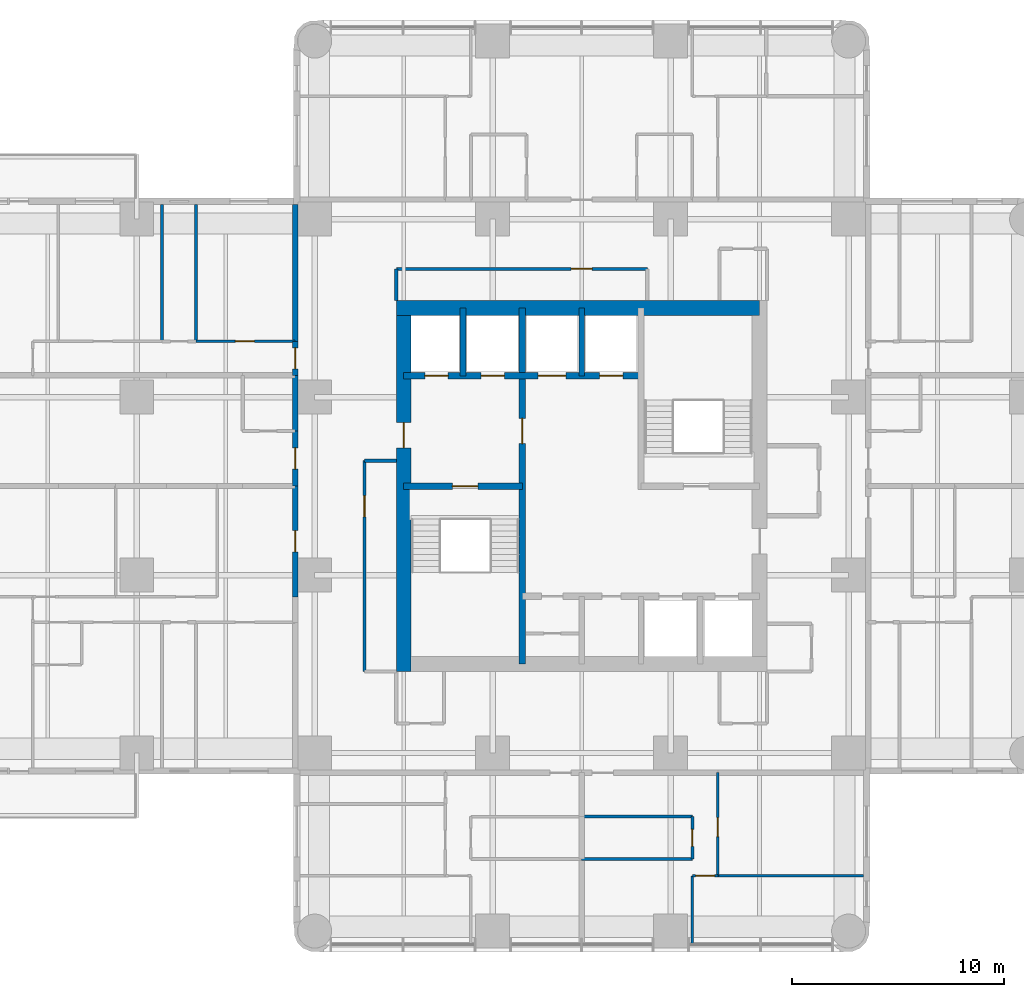
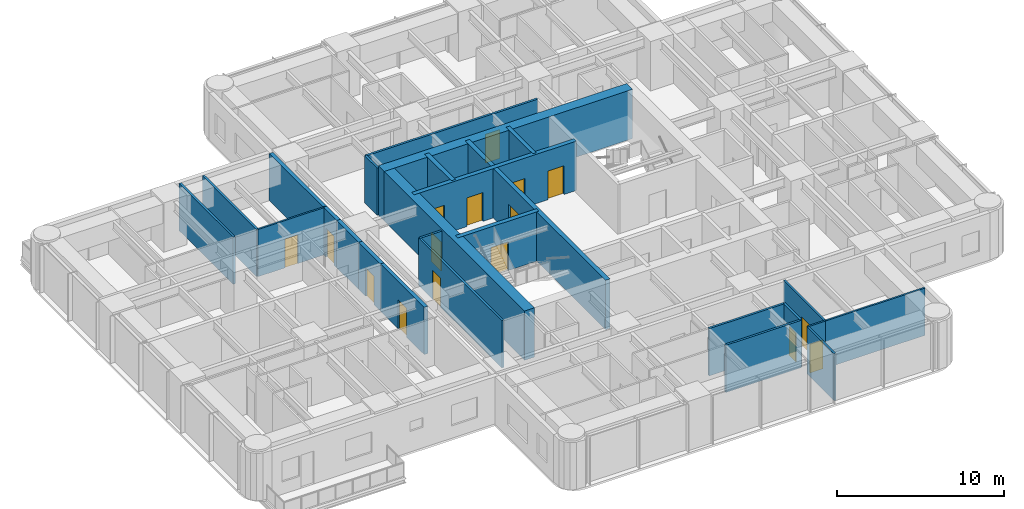
# One storey, part 6 of 11: 26 walls, 16 doors, 16 openings.
"""IFC4 building model written with IfcOpenShell, lengths in metres."""

from ifc_helpers import new_model, si_unit, direction, frame, frame_2d, origin, place, context, subcontext, project, spatial, rectangle, extrude, material, layer, layer_set, type_object, element, fill, save


model = new_model("IFC4")

# Units and contexts
model_context = context("Model", 3, precision=1e-05, world=origin(), true_north=direction((0.0, 1.0)))
body_context = subcontext(model_context, "Body", "Model", "MODEL_VIEW")
ifc_project = project(units=[si_unit("LENGTHUNIT", "METRE"), si_unit("AREAUNIT", "SQUARE_METRE"), si_unit("VOLUMEUNIT", "CUBIC_METRE"), si_unit("PLANEANGLEUNIT", "RADIAN"), si_unit("MASSUNIT", "GRAM", prefix="KILO")], contexts=[model_context])

# Site, building, storey
site_placement = place(None, origin())
site = spatial("IfcSite", under=ifc_project, at=site_placement, CompositionType="ELEMENT")
building_placement = place(site_placement, origin())
building = spatial("IfcBuilding", under=site, at=building_placement, Name="Torre Alcanfor", CompositionType="ELEMENT")
storey_placement = place(building_placement, frame((0.0, 0.0, 240.89990234375)))
storey = spatial("IfcBuildingStorey", under=building, at=storey_placement, Name="L63", CompositionType="ELEMENT", Elevation=240.89990234375)

# Wall, opening, door
ifc_material_1 = material(Name="Concrete block masonry, hollow blocks NMX-C-404 9 MPa", Category="masonry")
ifc_layer_1 = layer(ifc_material_1, 0.25)
ifc_layer_set_1 = layer_set([ifc_layer_1], Name="Apartment entrance wall 250 EI 60")
wall_type_1 = type_object("IfcWallType", Name="Apartment entrance wall 250 EI 60", PredefinedType="PARTITIONING", material=ifc_layer_set_1)
wall_1_placement = place(storey_placement, frame((15.875, 24.1708984375, 0.0), z_axis=(0.0, 0.0, 1.0), x_axis=(0.0, 1.0, 0.0)))
wall_1 = element("IfcWall", 1, at=wall_1_placement, inside=storey, type_object=wall_type_1, Name="Partition L63-CORR / L63-W1-ZAG", PredefinedType="PARTITIONING", context=body_context, shape_type="SweptSolid", body=[
    extrude(rectangle(XDim=5.22900390625, YDim=0.25, at=frame_2d((2.614501953125, 0.0))), origin(), (0.0, 0.0, 1.0), 3.4501953125),
])
opening_1_placement = place(wall_1_placement, frame((2.12890625, 0.0, 0.0)))
opening_1 = element("IfcOpeningElement", 2, at=opening_1_placement, cuts=wall_1, Name="Opening D-A1", PredefinedType="OPENING", context=body_context, shape_type="SweptSolid", body=[
    extrude(rectangle(XDim=1.0, YDim=2.10009765625, at=frame_2d((0.5, 1.050048828125))), frame((0.0, 0.135009765625, 0.0), z_axis=(0.0, -1.0, 0.0), x_axis=(1.0, 0.0, 0.0)), (0.0, 0.0, 1.0), 0.27001953125),
])
ifc_material_2 = material(Name="Galvanised steel sheet ASTM A653", Category="steel")
door_type_1 = type_object("IfcDoorType", Name="Apartment entrance door FD60 1000x2100", OperationType="SINGLE_SWING_LEFT", PredefinedType="DOOR", material=ifc_material_2)
door_1_placement = place(opening_1_placement, origin())
door_1 = element("IfcDoor", 3, at=door_1_placement, inside=storey, type_object=door_type_1, Name="Apartment entrance L63-W1", OperationType="SINGLE_SWING_RIGHT", OverallHeight=2.10009765625, OverallWidth=1.0, PredefinedType="DOOR", context=body_context, shape_type="SweptSolid", body=[
    extrude(rectangle(XDim=1.0, YDim=2.10009765625, at=frame_2d((0.5, 1.050048828125))), frame((0.0, 0.02490234375, 0.0), z_axis=(0.0, -1.0, 0.0), x_axis=(1.0, 0.0, 0.0)), (0.0, 0.0, 1.0), 0.050048828125),
])
fill(opening_1, door_1)

wall_2_placement = place(storey_placement, frame((15.875, 29.39990234375, 0.0), z_axis=(0.0, 0.0, 1.0), x_axis=(0.0, 1.0, 0.0)))
wall_2 = element("IfcWall", 4, at=wall_2_placement, inside=storey, type_object=wall_type_1, Name="Partition L63-CORR / L63-W2A-FOYER", PredefinedType="PARTITIONING", context=body_context, shape_type="SweptSolid", body=[
    extrude(rectangle(XDim=2.60009765625, YDim=0.25, at=frame_2d((1.300048828125, 0.0))), origin(), (0.0, 0.0, 1.0), 3.4501953125),
])
opening_2_placement = place(wall_2_placement, frame((0.800048828125, 0.0, 0.0)))
opening_2 = element("IfcOpeningElement", 5, at=opening_2_placement, cuts=wall_2, Name="Opening D-A1", PredefinedType="OPENING", context=body_context, shape_type="SweptSolid", body=[
    extrude(rectangle(XDim=1.0, YDim=2.10009765625, at=frame_2d((0.5, 1.050048828125))), frame((0.0, 0.135009765625, 0.0), z_axis=(0.0, -1.0, 0.0), x_axis=(1.0, 0.0, 0.0)), (0.0, 0.0, 1.0), 0.27001953125),
])
door_2_placement = place(opening_2_placement, origin())
door_2 = element("IfcDoor", 6, at=door_2_placement, inside=storey, type_object=door_type_1, Name="Apartment entrance L63-W2A", OperationType="SINGLE_SWING_LEFT", OverallHeight=2.10009765625, OverallWidth=1.0, PredefinedType="DOOR", context=body_context, shape_type="SweptSolid", body=[
    extrude(rectangle(XDim=1.0, YDim=2.10009765625, at=frame_2d((0.5, 1.050048828125))), frame((0.0, 0.02490234375, 0.0), z_axis=(0.0, -1.0, 0.0), x_axis=(1.0, 0.0, 0.0)), (0.0, 0.0, 1.0), 0.050048828125),
])
fill(opening_2, door_2)

# Wall
wall_3_placement = place(storey_placement, frame((15.875, 32.0, 0.0), z_axis=(0.0, 0.0, 1.0), x_axis=(0.0, 1.0, 0.0)))
element("IfcWall", 7, at=wall_3_placement, inside=storey, type_object=wall_type_1, Name="Partition L63-CORR / L63-W2A-BATH", PredefinedType="PARTITIONING", context=body_context, shape_type="SweptSolid", body=[
    extrude(rectangle(XDim=2.62890625, YDim=0.25, at=frame_2d((1.314453125, 0.0))), origin(), (0.0, 0.0, 1.0), 3.4501953125),
])

# Wall, opening, door
wall_4_placement = place(storey_placement, frame((15.875, 34.62890625, 0.0), z_axis=(0.0, 0.0, 1.0), x_axis=(0.0, 1.0, 0.0)))
wall_4 = element("IfcWall", 8, at=wall_4_placement, inside=storey, type_object=wall_type_1, Name="Partition L63-CORR / L63-W2B-HALL", PredefinedType="PARTITIONING", context=body_context, shape_type="SweptSolid", body=[
    extrude(rectangle(XDim=1.60009765625, YDim=0.25, at=frame_2d((0.800048828125, 0.0))), origin(), (0.0, 0.0, 1.0), 3.4501953125),
])
opening_3_placement = place(wall_4_placement, frame((0.300048828125, 0.0, 0.0)))
opening_3 = element("IfcOpeningElement", 9, at=opening_3_placement, cuts=wall_4, Name="Opening D-A1", PredefinedType="OPENING", context=body_context, shape_type="SweptSolid", body=[
    extrude(rectangle(XDim=1.0, YDim=2.10009765625, at=frame_2d((0.5, 1.050048828125))), frame((0.0, 0.135009765625, 0.0), z_axis=(0.0, -1.0, 0.0), x_axis=(1.0, 0.0, 0.0)), (0.0, 0.0, 1.0), 0.27001953125),
])
door_3_placement = place(opening_3_placement, origin())
door_3 = element("IfcDoor", 10, at=door_3_placement, inside=storey, type_object=door_type_1, Name="Apartment entrance L63-W2B", OperationType="SINGLE_SWING_LEFT", OverallHeight=2.10009765625, OverallWidth=1.0, PredefinedType="DOOR", context=body_context, shape_type="SweptSolid", body=[
    extrude(rectangle(XDim=1.0, YDim=2.10009765625, at=frame_2d((0.5, 1.050048828125))), frame((0.0, 0.02490234375, 0.0), z_axis=(0.0, -1.0, 0.0), x_axis=(1.0, 0.0, 0.0)), (0.0, 0.0, 1.0), 0.050048828125),
])
fill(opening_3, door_3)

# Wall
wall_5_placement = place(storey_placement, frame((15.875, 36.22900390625, 0.0), z_axis=(0.0, 0.0, 1.0), x_axis=(0.0, 1.0, 0.0)))
element("IfcWall", 11, at=wall_5_placement, inside=storey, type_object=wall_type_1, Name="Partition L63-CORR / L63-W2B-BED2", PredefinedType="PARTITIONING", context=body_context, shape_type="SweptSolid", body=[
    extrude(rectangle(XDim=6.470947265625, YDim=0.25, at=frame_2d((3.2353515625, 0.0))), origin(), (0.0, 0.0, 1.0), 3.4501953125),
])

# Wall, opening, door
ifc_material_3 = material(Name="Gypsum board on steel studs", Category="steel")
ifc_layer_2 = layer(ifc_material_3, 0.1201171875)
ifc_layer_set_2 = layer_set([ifc_layer_2], Name="Apartment partition 120")
wall_type_2 = type_object("IfcWallType", Name="Apartment partition 120", PredefinedType="PARTITIONING", material=ifc_layer_set_2)
wall_6_placement = place(storey_placement, frame((35.8291015625, 15.875, 0.0), z_axis=(0.0, 0.0, 1.0), x_axis=(0.0, -1.0, 0.0)))
wall_6 = element("IfcWall", 12, at=wall_6_placement, inside=storey, type_object=wall_type_2, Name="Partition L63-S1-LIVING / L63-S1-BED2", PredefinedType="PARTITIONING", context=body_context, shape_type="SweptSolid", body=[
    extrude(rectangle(XDim=4.875, YDim=0.1201171875, at=frame_2d((2.4375, 0.0))), origin(), (0.0, 0.0, 1.0), 3.4501953125),
])
opening_4_placement = place(wall_6_placement, frame((2.125, 0.0, 0.0)))
opening_4 = element("IfcOpeningElement", 13, at=opening_4_placement, cuts=wall_6, Name="Opening D-R1", PredefinedType="OPENING", context=body_context, shape_type="SweptSolid", body=[
    extrude(rectangle(XDim=0.89990234375, YDim=2.10009765625, at=frame_2d((0.449951171875, 1.050048828125))), frame((0.0, 0.070068359375, 0.0), z_axis=(0.0, -1.0, 0.0), x_axis=(1.0, 0.0, 0.0)), (0.0, 0.0, 1.0), 0.14013671875),
])
ifc_material_4 = material(Name="Timber", Category="wood")
door_type_2 = type_object("IfcDoorType", Name="Internal door 900x2100", OperationType="SINGLE_SWING_LEFT", PredefinedType="DOOR", material=ifc_material_4)
door_4_placement = place(opening_4_placement, origin())
door_4 = element("IfcDoor", 14, at=door_4_placement, inside=storey, type_object=door_type_2, Name="Door L63-S1 bed2", OperationType="SINGLE_SWING_RIGHT", OverallHeight=2.10009765625, OverallWidth=0.89990234375, PredefinedType="DOOR", context=body_context, shape_type="SweptSolid", body=[
    extrude(rectangle(XDim=0.89990234375, YDim=2.10009765625, at=frame_2d((0.449951171875, 1.050048828125))), frame((0.0, 0.02490234375, 0.0), z_axis=(0.0, -1.0, 0.0), x_axis=(1.0, 0.0, 0.0)), (0.0, 0.0, 1.0), 0.050048828125),
])
fill(opening_4, door_4)

wall_7_placement = place(storey_placement, frame((35.8291015625, 11.0, 0.0), z_axis=(0.0, 0.0, 1.0), x_axis=(-1.0, 0.0, 0.0)))
wall_7 = element("IfcWall", 15, at=wall_7_placement, inside=storey, type_object=wall_type_2, Name="Partition L63-S1-LIVING / L63-S1-MASTER", PredefinedType="PARTITIONING", context=body_context, shape_type="SweptSolid", body=[
    extrude(rectangle(XDim=1.2001953125, YDim=0.1201171875, at=frame_2d((0.60009765625, 0.0))), origin(), (0.0, 0.0, 1.0), 3.4501953125),
])
opening_5_placement = place(wall_7_placement, frame((0.14892578125, 0.0, 0.0)))
opening_5 = element("IfcOpeningElement", 16, at=opening_5_placement, cuts=wall_7, Name="Opening D-R1", PredefinedType="OPENING", context=body_context, shape_type="SweptSolid", body=[
    extrude(rectangle(XDim=0.89990234375, YDim=2.10009765625, at=frame_2d((0.449951171875, 1.050048828125))), frame((0.0, 0.070068359375, 0.0), z_axis=(0.0, -1.0, 0.0), x_axis=(1.0, 0.0, 0.0)), (0.0, 0.0, 1.0), 0.14013671875),
])
door_5_placement = place(opening_5_placement, origin())
door_5 = element("IfcDoor", 17, at=door_5_placement, inside=storey, type_object=door_type_2, Name="Door L63-S1 master", OperationType="SINGLE_SWING_RIGHT", OverallHeight=2.10009765625, OverallWidth=0.89990234375, PredefinedType="DOOR", context=body_context, shape_type="SweptSolid", body=[
    extrude(rectangle(XDim=0.89990234375, YDim=2.10009765625, at=frame_2d((0.449951171875, 1.050048828125))), frame((0.0, 0.02490234375, 0.0), z_axis=(0.0, -1.0, 0.0), x_axis=(1.0, 0.0, 0.0)), (0.0, 0.0, 1.0), 0.050048828125),
])
fill(opening_5, door_5)

# Walls
wall_8_placement = place(storey_placement, frame((34.62890625, 11.0, 0.0), z_axis=(0.0, 0.0, 1.0), x_axis=(0.0, -1.0, 0.0)))
element("IfcWall", 18, at=wall_8_placement, inside=storey, type_object=wall_type_2, Name="Partition L63-S1-LIVING / L63-S1-MASTER", PredefinedType="PARTITIONING", context=body_context, shape_type="SweptSolid", body=[
    extrude(rectangle(XDim=3.25, YDim=0.1201171875, at=frame_2d((1.625, 0.0))), origin(), (0.0, 0.0, 1.0), 3.4501953125),
])
wall_9_placement = place(storey_placement, frame((35.8291015625, 11.0, 0.0), z_axis=(0.0, 0.0, 1.0), x_axis=(1.0, 0.0, 0.0)))
element("IfcWall", 19, at=wall_9_placement, inside=storey, type_object=wall_type_2, Name="Partition L63-S1-BED2 / L63-S1-MASTER", PredefinedType="PARTITIONING", context=body_context, shape_type="SweptSolid", body=[
    extrude(rectangle(XDim=6.870849609375, YDim=0.1201171875, at=frame_2d((3.435546875, 0.0))), origin(), (0.0, 0.0, 1.0), 3.4501953125),
])

# Wall, opening, door
wall_10_placement = place(storey_placement, frame((11.199951171875, 36.22900390625, 0.0), z_axis=(0.0, 0.0, 1.0), x_axis=(1.0, 0.0, 0.0)))
wall_10 = element("IfcWall", 20, at=wall_10_placement, inside=storey, type_object=wall_type_2, Name="Partition L63-W2B-HALL / L63-W2B-BED2", PredefinedType="PARTITIONING", context=body_context, shape_type="SweptSolid", body=[
    extrude(rectangle(XDim=4.675048828125, YDim=0.1201171875, at=frame_2d((2.33740234375, 0.0))), origin(), (0.0, 0.0, 1.0), 3.4501953125),
])
opening_6_placement = place(wall_10_placement, frame((1.85009765625, 0.0, 0.0)))
opening_6 = element("IfcOpeningElement", 21, at=opening_6_placement, cuts=wall_10, Name="Opening D-R1", PredefinedType="OPENING", context=body_context, shape_type="SweptSolid", body=[
    extrude(rectangle(XDim=0.89990234375, YDim=2.10009765625, at=frame_2d((0.449951171875, 1.050048828125))), frame((0.0, 0.070068359375, 0.0), z_axis=(0.0, -1.0, 0.0), x_axis=(1.0, 0.0, 0.0)), (0.0, 0.0, 1.0), 0.14013671875),
])
door_6_placement = place(opening_6_placement, origin())
door_6 = element("IfcDoor", 22, at=door_6_placement, inside=storey, type_object=door_type_2, Name="Door L63-W2B bed2", OperationType="SINGLE_SWING_LEFT", OverallHeight=2.10009765625, OverallWidth=0.89990234375, PredefinedType="DOOR", context=body_context, shape_type="SweptSolid", body=[
    extrude(rectangle(XDim=0.89990234375, YDim=2.10009765625, at=frame_2d((0.449951171875, 1.050048828125))), frame((0.0, 0.02490234375, 0.0), z_axis=(0.0, -1.0, 0.0), x_axis=(1.0, 0.0, 0.0)), (0.0, 0.0, 1.0), 0.050048828125),
])
fill(opening_6, door_6)

ifc_material_5 = material(Name="Concrete f'c 70 MPa", Category="concrete")
ifc_layer_3 = layer(ifc_material_5, 0.300048828125)
ifc_layer_set_3 = layer_set([ifc_layer_3], Name="Core inner wall 300 f'c70")
wall_type_3 = type_object("IfcWallType", Name="Core inner wall 300 f'c70", PredefinedType="SHEAR", material=ifc_layer_set_3)
wall_11_placement = place(storey_placement, frame((26.60009765625, 21.0, 0.0), z_axis=(0.0, 0.0, 1.0), x_axis=(0.0, 1.0, 0.0)))
wall_11 = element("IfcWall", 23, at=wall_11_placement, inside=storey, type_object=wall_type_3, Name="Core wall X266 L63", PredefinedType="SHEAR", context=body_context, shape_type="SweptSolid", body=[
    extrude(rectangle(XDim=16.800048828125, YDim=0.300048828125, at=frame_2d((8.39990234375, 0.0))), origin(), (0.0, 0.0, 1.0), 3.60009765625),
])
opening_7_placement = place(wall_11_placement, frame((10.39990234375, 0.0, 0.0)))
opening_7 = element("IfcOpeningElement", 24, at=opening_7_placement, cuts=wall_11, Name="Opening D-L1", PredefinedType="OPENING", context=body_context, shape_type="SweptSolid", body=[
    extrude(rectangle(XDim=1.199951171875, YDim=2.10009765625, at=frame_2d((0.60009765625, 1.050048828125))), frame((0.0, 0.159912109375, 0.0), z_axis=(0.0, -1.0, 0.0), x_axis=(1.0, 0.0, 0.0)), (0.0, 0.0, 1.0), 0.320068359375),
])
ifc_material_6 = material(Name="Galvanised steel sheet ASTM A653", Category="steel")
door_type_3 = type_object("IfcDoorType", Name="Lobby door FD120 1200x2100", OperationType="SINGLE_SWING_LEFT", PredefinedType="DOOR", material=ifc_material_6)
door_7_placement = place(opening_7_placement, origin())
door_7 = element("IfcDoor", 25, at=door_7_placement, inside=storey, type_object=door_type_3, Name="Lift lobby door L63", OperationType="SINGLE_SWING_LEFT", OverallHeight=2.10009765625, OverallWidth=1.199951171875, PredefinedType="DOOR", context=body_context, shape_type="SweptSolid", body=[
    extrude(rectangle(XDim=1.199951171875, YDim=2.10009765625, at=frame_2d((0.60009765625, 1.050048828125))), frame((0.0, 0.02490234375, 0.0), z_axis=(0.0, -1.0, 0.0), x_axis=(1.0, 0.0, 0.0)), (0.0, 0.0, 1.0), 0.050048828125),
])
fill(opening_7, door_7)

wall_12_placement = place(storey_placement, frame((21.0, 29.39990234375, 0.0), z_axis=(0.0, 0.0, 1.0), x_axis=(1.0, 0.0, 0.0)))
wall_12 = element("IfcWall", 26, at=wall_12_placement, inside=storey, type_object=wall_type_3, Name="Core wall Y294W L63", PredefinedType="SHEAR", context=body_context, shape_type="SweptSolid", body=[
    extrude(rectangle(XDim=5.60009765625, YDim=0.300048828125, at=frame_2d((2.800048828125, 0.0))), origin(), (0.0, 0.0, 1.0), 3.60009765625),
])
opening_8_placement = place(wall_12_placement, frame((2.300048828125, 0.0, 0.0)))
opening_8 = element("IfcOpeningElement", 27, at=opening_8_placement, cuts=wall_12, Name="Opening D-S2", PredefinedType="OPENING", context=body_context, shape_type="SweptSolid", body=[
    extrude(rectangle(XDim=1.199951171875, YDim=2.10009765625, at=frame_2d((0.60009765625, 1.050048828125))), frame((0.0, 0.159912109375, 0.0), z_axis=(0.0, -1.0, 0.0), x_axis=(1.0, 0.0, 0.0)), (0.0, 0.0, 1.0), 0.320068359375),
])
ifc_material_7 = material(Name="Galvanised steel sheet ASTM A653", Category="steel")
door_type_4 = type_object("IfcDoorType", Name="Stair enclosure door FD120 1200x2100", OperationType="SINGLE_SWING_LEFT", PredefinedType="DOOR", material=ifc_material_7)
door_8_placement = place(opening_8_placement, frame((1.199951171875, 0.0, 0.0), z_axis=(0.0, 0.0, 1.0), x_axis=(-1.0, 0.0, 0.0)))
door_8 = element("IfcDoor", 28, at=door_8_placement, inside=storey, type_object=door_type_4, Name="Stair S1 door L63", OperationType="SINGLE_SWING_LEFT", OverallHeight=2.10009765625, OverallWidth=1.199951171875, PredefinedType="DOOR", context=body_context, shape_type="SweptSolid", body=[
    extrude(rectangle(XDim=1.199951171875, YDim=2.10009765625, at=frame_2d((0.599853515625, 1.050048828125))), frame((0.0, 0.025146484375, 0.0), z_axis=(0.0, -1.0, 0.0), x_axis=(1.0, 0.0, 0.0)), (0.0, 0.0, 1.0), 0.050048828125),
])
fill(opening_8, door_8)

# Wall, openings, doors
wall_13_placement = place(storey_placement, frame((21.0, 34.60009765625, 0.0), z_axis=(0.0, 0.0, 1.0), x_axis=(1.0, 0.0, 0.0)))
wall_13 = element("IfcWall", 29, at=wall_13_placement, inside=storey, type_object=wall_type_3, Name="Core wall Y346 L63", PredefinedType="SHEAR", context=body_context, shape_type="SweptSolid", body=[
    extrude(rectangle(XDim=11.199951171875, YDim=0.300048828125, at=frame_2d((5.60009765625, 0.0))), origin(), (0.0, 0.0, 1.0), 3.60009765625),
])
opening_9_placement = place(wall_13_placement, frame((9.25, 0.0, 0.0)))
opening_9 = element("IfcOpeningElement", 30, at=opening_9_placement, cuts=wall_13, Name="Opening LD1", PredefinedType="OPENING", context=body_context, shape_type="SweptSolid", body=[
    extrude(rectangle(XDim=1.10009765625, YDim=2.10009765625, at=frame_2d((0.550048828125, 1.050048828125))), frame((0.0, 0.159912109375, 0.0), z_axis=(0.0, -1.0, 0.0), x_axis=(1.0, 0.0, 0.0)), (0.0, 0.0, 1.0), 0.320068359375),
])
opening_10_placement = place(wall_13_placement, frame((1.0, 0.0, 0.0)))
opening_10 = element("IfcOpeningElement", 31, at=opening_10_placement, cuts=wall_13, Name="Opening LD2", PredefinedType="OPENING", context=body_context, shape_type="SweptSolid", body=[
    extrude(rectangle(XDim=1.10009765625, YDim=2.10009765625, at=frame_2d((0.550048828125, 1.050048828125))), frame((0.0, 0.159912109375, 0.0), z_axis=(0.0, -1.0, 0.0), x_axis=(1.0, 0.0, 0.0)), (0.0, 0.0, 1.0), 0.320068359375),
])
opening_11_placement = place(wall_13_placement, frame((3.64990234375, 0.0, 0.0)))
opening_11 = element("IfcOpeningElement", 32, at=opening_11_placement, cuts=wall_13, Name="Opening LD2", PredefinedType="OPENING", context=body_context, shape_type="SweptSolid", body=[
    extrude(rectangle(XDim=1.10009765625, YDim=2.10009765625, at=frame_2d((0.550048828125, 1.050048828125))), frame((0.0, 0.159912109375, 0.0), z_axis=(0.0, -1.0, 0.0), x_axis=(1.0, 0.0, 0.0)), (0.0, 0.0, 1.0), 0.320068359375),
])
opening_12_placement = place(wall_13_placement, frame((6.35009765625, 0.0, 0.0)))
opening_12 = element("IfcOpeningElement", 33, at=opening_12_placement, cuts=wall_13, Name="Opening LD3", PredefinedType="OPENING", context=body_context, shape_type="SweptSolid", body=[
    extrude(rectangle(XDim=1.300048828125, YDim=2.10009765625, at=frame_2d((0.64990234375, 1.050048828125))), frame((0.0, 0.159912109375, 0.0), z_axis=(0.0, -1.0, 0.0), x_axis=(1.0, 0.0, 0.0)), (0.0, 0.0, 1.0), 0.320068359375),
])
ifc_material_8 = material(Name="Galvanised steel sheet ASTM A653", Category="steel")
door_type_5 = type_object("IfcDoorType", Name="Firefighting lift landing door 1100x2100", OperationType="DOUBLE_DOOR_SLIDING", PredefinedType="DOOR", material=ifc_material_8)
door_9_placement = place(opening_10_placement, origin())
door_9 = element("IfcDoor", 34, at=door_9_placement, inside=storey, type_object=door_type_5, Name="Lift landing door FL1 L63", OperationType="DOUBLE_DOOR_SLIDING", OverallHeight=2.10009765625, OverallWidth=1.10009765625, PredefinedType="DOOR", context=body_context, shape_type="SweptSolid", body=[
    extrude(rectangle(XDim=1.10009765625, YDim=2.10009765625, at=frame_2d((0.550048828125, 1.050048828125))), frame((0.0, 0.02490234375, 0.0), z_axis=(0.0, -1.0, 0.0), x_axis=(1.0, 0.0, 0.0)), (0.0, 0.0, 1.0), 0.050048828125),
])
fill(opening_10, door_9)
door_10_placement = place(opening_11_placement, origin())
door_10 = element("IfcDoor", 35, at=door_10_placement, inside=storey, type_object=door_type_5, Name="Lift landing door FL2 L63", OperationType="DOUBLE_DOOR_SLIDING", OverallHeight=2.10009765625, OverallWidth=1.10009765625, PredefinedType="DOOR", context=body_context, shape_type="SweptSolid", body=[
    extrude(rectangle(XDim=1.10009765625, YDim=2.10009765625, at=frame_2d((0.550048828125, 1.050048828125))), frame((0.0, 0.02490234375, 0.0), z_axis=(0.0, -1.0, 0.0), x_axis=(1.0, 0.0, 0.0)), (0.0, 0.0, 1.0), 0.050048828125),
])
fill(opening_11, door_10)
ifc_material_9 = material(Name="Galvanised steel sheet ASTM A653", Category="steel")
door_type_6 = type_object("IfcDoorType", Name="Lift landing door 1100x2100", OperationType="DOUBLE_DOOR_SLIDING", PredefinedType="DOOR", material=ifc_material_9)
door_11_placement = place(opening_9_placement, origin())
door_11 = element("IfcDoor", 36, at=door_11_placement, inside=storey, type_object=door_type_6, Name="Lift landing door PA5 L63", OperationType="DOUBLE_DOOR_SLIDING", OverallHeight=2.10009765625, OverallWidth=1.10009765625, PredefinedType="DOOR", context=body_context, shape_type="SweptSolid", body=[
    extrude(rectangle(XDim=1.10009765625, YDim=2.10009765625, at=frame_2d((0.550048828125, 1.050048828125))), frame((0.0, 0.02490234375, 0.0), z_axis=(0.0, -1.0, 0.0), x_axis=(1.0, 0.0, 0.0)), (0.0, 0.0, 1.0), 0.050048828125),
])
fill(opening_9, door_11)
ifc_material_10 = material(Name="Galvanised steel sheet ASTM A653", Category="steel")
door_type_7 = type_object("IfcDoorType", Name="Service lift landing door 1300x2100", OperationType="DOUBLE_DOOR_SLIDING", PredefinedType="DOOR", material=ifc_material_10)
door_12_placement = place(opening_12_placement, origin())
door_12 = element("IfcDoor", 37, at=door_12_placement, inside=storey, type_object=door_type_7, Name="Lift landing door SL1 L63", OperationType="DOUBLE_DOOR_SLIDING", OverallHeight=2.10009765625, OverallWidth=1.300048828125, PredefinedType="DOOR", context=body_context, shape_type="SweptSolid", body=[
    extrude(rectangle(XDim=1.300048828125, YDim=2.10009765625, at=frame_2d((0.64990234375, 1.050048828125))), frame((0.0, 0.02490234375, 0.0), z_axis=(0.0, -1.0, 0.0), x_axis=(1.0, 0.0, 0.0)), (0.0, 0.0, 1.0), 0.050048828125),
])
fill(opening_12, door_12)

# Walls
wall_14_placement = place(storey_placement, frame((23.800048828125, 34.60009765625, 0.0), z_axis=(0.0, 0.0, 1.0), x_axis=(0.0, 1.0, 0.0)))
element("IfcWall", 38, at=wall_14_placement, inside=storey, type_object=wall_type_3, Name="Core wall X238 L63", PredefinedType="SHEAR", context=body_context, shape_type="SweptSolid", body=[
    extrude(rectangle(XDim=3.199951171875, YDim=0.300048828125, at=frame_2d((1.60009765625, 0.0))), origin(), (0.0, 0.0, 1.0), 3.60009765625),
])
ifc_material_11 = material(Name="Concrete f'c 70 MPa", Category="concrete")
ifc_layer_4 = layer(ifc_material_11, 0.25)
ifc_layer_set_4 = layer_set([ifc_layer_4], Name="Core shaft wall 250 f'c70")
wall_type_4 = type_object("IfcWallType", Name="Core shaft wall 250 f'c70", PredefinedType="SHEAR", material=ifc_layer_set_4)
wall_15_placement = place(storey_placement, frame((29.39990234375, 34.60009765625, 0.0), z_axis=(0.0, 0.0, 1.0), x_axis=(0.0, 1.0, 0.0)))
element("IfcWall", 39, at=wall_15_placement, inside=storey, type_object=wall_type_4, Name="Core wall X294N L63", PredefinedType="SHEAR", context=body_context, shape_type="SweptSolid", body=[
    extrude(rectangle(XDim=3.199951171875, YDim=0.25, at=frame_2d((1.60009765625, 0.0))), origin(), (0.0, 0.0, 1.0), 3.60009765625),
])
ifc_material_12 = material(Name="Concrete f'c 70 MPa", Category="concrete")
ifc_layer_5 = layer(ifc_material_12, 0.699951171875)
ifc_layer_set_5 = layer_set([ifc_layer_5], Name="Core wall 700 f'c70")
wall_type_5 = type_object("IfcWallType", Name="Core wall 700 f'c70", PredefinedType="SHEAR", material=ifc_layer_set_5)
wall_16_placement = place(storey_placement, frame((37.800048828125, 37.800048828125, 0.0), z_axis=(0.0, 0.0, 1.0), x_axis=(-1.0, 0.0, 0.0)))
element("IfcWall", 40, at=wall_16_placement, inside=storey, type_object=wall_type_5, Name="Core wall OUT-N L63", PredefinedType="SHEAR", context=body_context, shape_type="SweptSolid", body=[
    extrude(rectangle(XDim=17.150146484375, YDim=0.699951171875, at=frame_2d((8.5751953125, 0.0))), origin(), (0.0, 0.0, 1.0), 3.60009765625),
])

# Wall, opening, door
wall_17_placement = place(storey_placement, frame((21.0, 37.800048828125, 0.0), z_axis=(0.0, 0.0, 1.0), x_axis=(0.0, -1.0, 0.0)))
wall_17 = element("IfcWall", 41, at=wall_17_placement, inside=storey, type_object=wall_type_5, Name="Core wall OUT-W L63", PredefinedType="SHEAR", context=body_context, shape_type="SweptSolid", body=[
    extrude(rectangle(XDim=17.150146484375, YDim=0.699951171875, at=frame_2d((8.5751953125, 0.0))), origin(), (0.0, 0.0, 1.0), 3.60009765625),
])
opening_13_placement = place(wall_17_placement, frame((5.39990234375, 0.0, 0.0)))
opening_13 = element("IfcOpeningElement", 42, at=opening_13_placement, cuts=wall_17, Name="Opening D-L1", PredefinedType="OPENING", context=body_context, shape_type="SweptSolid", body=[
    extrude(rectangle(XDim=1.199951171875, YDim=2.10009765625, at=frame_2d((0.60009765625, 1.050048828125))), frame((0.0, 0.35986328125, 0.0), z_axis=(0.0, -1.0, 0.0), x_axis=(1.0, 0.0, 0.0)), (0.0, 0.0, 1.0), 0.719970703125),
])
door_13_placement = place(opening_13_placement, origin())
door_13 = element("IfcDoor", 43, at=door_13_placement, inside=storey, type_object=door_type_3, Name="Firefighting lobby door L63", OperationType="SINGLE_SWING_LEFT", OverallHeight=2.10009765625, OverallWidth=1.199951171875, PredefinedType="DOOR", context=body_context, shape_type="SweptSolid", body=[
    extrude(rectangle(XDim=1.199951171875, YDim=2.10009765625, at=frame_2d((0.60009765625, 1.050048828125))), frame((0.0, 0.02490234375, 0.0), z_axis=(0.0, -1.0, 0.0), x_axis=(1.0, 0.0, 0.0)), (0.0, 0.0, 1.0), 0.050048828125),
])
fill(opening_13, door_13)

ifc_material_13 = material(Name="Concrete block masonry, hollow blocks NMX-C-404 9 MPa", Category="masonry")
ifc_layer_6 = layer(ifc_material_13, 0.14990234375)
ifc_layer_set_6 = layer_set([ifc_layer_6], Name="Residents' room partition 150")
wall_type_6 = type_object("IfcWallType", Name="Residents' room partition 150", PredefinedType="PARTITIONING", material=ifc_layer_set_6)
wall_18_placement = place(storey_placement, frame((32.5, 39.64990234375, 0.0), z_axis=(0.0, 0.0, 1.0), x_axis=(-1.0, 0.0, 0.0)))
wall_18 = element("IfcWall", 44, at=wall_18_placement, inside=storey, type_object=wall_type_6, Name="Partition L63-CORR / L63-G01", PredefinedType="PARTITIONING", context=body_context, shape_type="SweptSolid", body=[
    extrude(rectangle(XDim=11.85009765625, YDim=0.14990234375, at=frame_2d((5.925048828125, 0.0))), origin(), (0.0, 0.0, 1.0), 3.4501953125),
])
opening_14_placement = place(wall_18_placement, frame((2.60009765625, 0.0, 0.0)))
opening_14 = element("IfcOpeningElement", 45, at=opening_14_placement, cuts=wall_18, Name="Opening D-M1", PredefinedType="OPENING", context=body_context, shape_type="SweptSolid", body=[
    extrude(rectangle(XDim=1.0, YDim=2.10009765625, at=frame_2d((0.5, 1.050048828125))), frame((0.0, 0.0849609375, 0.0), z_axis=(0.0, -1.0, 0.0), x_axis=(1.0, 0.0, 0.0)), (0.0, 0.0, 1.0), 0.169921875),
])
ifc_material_14 = material(Name="Timber", Category="wood")
door_type_8 = type_object("IfcDoorType", Name="Residents' room door 1000x2100", OperationType="SINGLE_SWING_LEFT", PredefinedType="DOOR", material=ifc_material_14)
door_14_placement = place(opening_14_placement, origin())
door_14 = element("IfcDoor", 46, at=door_14_placement, inside=storey, type_object=door_type_8, Name="Door L63-G01 residents' lockers", OperationType="SINGLE_SWING_LEFT", OverallHeight=2.10009765625, OverallWidth=1.0, PredefinedType="DOOR", context=body_context, shape_type="SweptSolid", body=[
    extrude(rectangle(XDim=1.0, YDim=2.10009765625, at=frame_2d((0.5, 1.050048828125))), frame((0.0, 0.02490234375, 0.0), z_axis=(0.0, -1.0, 0.0), x_axis=(1.0, 0.0, 0.0)), (0.0, 0.0, 1.0), 0.050048828125),
])
fill(opening_14, door_14)

# Walls
for number, where, z_axis, x_axis, name in (
    (47, (20.64990234375, 39.64990234375, 0.0), (0.0, 0.0, 1.0), (0.0, -1.0, 0.0), "Partition L63-CORR / L63-G01"),
    (48, (20.64990234375, 30.60009765625, 0.0), (0.0, 0.0, 1.0), (-1.0, 0.0, 0.0), "Partition L63-CORR / L63-G07"),
):
    element("IfcWall", number, at=place(storey_placement, frame(where, z_axis=z_axis, x_axis=x_axis)), inside=storey, type_object=wall_type_6, Name=name, PredefinedType="PARTITIONING", context=body_context, shape_type="SweptSolid", body=[
        extrude(rectangle(XDim=1.5, YDim=0.14990234375, at=frame_2d((0.75, 0.0))), origin(), (0.0, 0.0, 1.0), 3.4501953125),
    ])

# Wall, opening, door
wall_19_placement = place(storey_placement, frame((19.14990234375, 30.60009765625, 0.0), z_axis=(0.0, 0.0, 1.0), x_axis=(0.0, -1.0, 0.0)))
wall_19 = element("IfcWall", 49, at=wall_19_placement, inside=storey, type_object=wall_type_6, Name="Partition L63-CORR / L63-G07", PredefinedType="PARTITIONING", context=body_context, shape_type="SweptSolid", body=[
    extrude(rectangle(XDim=9.9501953125, YDim=0.14990234375, at=frame_2d((4.97509765625, 0.0))), origin(), (0.0, 0.0, 1.0), 3.4501953125),
])
opening_15_placement = place(wall_19_placement, frame((1.64990234375, 0.0, 0.0)))
opening_15 = element("IfcOpeningElement", 50, at=opening_15_placement, cuts=wall_19, Name="Opening D-M1", PredefinedType="OPENING", context=body_context, shape_type="SweptSolid", body=[
    extrude(rectangle(XDim=1.0, YDim=2.10009765625, at=frame_2d((0.5, 1.050048828125))), frame((0.0, 0.0849609375, 0.0), z_axis=(0.0, -1.0, 0.0), x_axis=(1.0, 0.0, 0.0)), (0.0, 0.0, 1.0), 0.169921875),
])
door_15_placement = place(opening_15_placement, origin())
door_15 = element("IfcDoor", 51, at=door_15_placement, inside=storey, type_object=door_type_8, Name="Door L63-G07 pram and wheelchair store", OperationType="SINGLE_SWING_LEFT", OverallHeight=2.10009765625, OverallWidth=1.0, PredefinedType="DOOR", context=body_context, shape_type="SweptSolid", body=[
    extrude(rectangle(XDim=1.0, YDim=2.10009765625, at=frame_2d((0.5, 1.050048828125))), frame((0.0, 0.02490234375, 0.0), z_axis=(0.0, -1.0, 0.0), x_axis=(1.0, 0.0, 0.0)), (0.0, 0.0, 1.0), 0.050048828125),
])
fill(opening_15, door_15)

# Wall
ifc_material_15 = material(Name="Cement board on steel studs", Category="steel")
ifc_layer_7 = layer(ifc_material_15, 0.14990234375)
ifc_layer_set_7 = layer_set([ifc_layer_7], Name="Wet area partition 150")
wall_type_7 = type_object("IfcWallType", Name="Wet area partition 150", PredefinedType="PARTITIONING", material=ifc_layer_set_7)
wall_20_placement = place(storey_placement, frame((29.39990234375, 11.800048828125, 0.0), z_axis=(0.0, 0.0, 1.0), x_axis=(1.0, 0.0, 0.0)))
element("IfcWall", 52, at=wall_20_placement, inside=storey, type_object=wall_type_7, Name="Partition L63-S1-BATH / L63-S1-LIVING", PredefinedType="PARTITIONING", context=body_context, shape_type="SweptSolid", body=[
    extrude(rectangle(XDim=5.22900390625, YDim=0.14990234375, at=frame_2d((2.614501953125, 0.0))), origin(), (0.0, 0.0, 1.0), 3.4501953125),
])

# Wall, opening, door
wall_21_placement = place(storey_placement, frame((34.62890625, 11.800048828125, 0.0), z_axis=(0.0, 0.0, 1.0), x_axis=(0.0, 1.0, 0.0)))
wall_21 = element("IfcWall", 53, at=wall_21_placement, inside=storey, type_object=wall_type_7, Name="Partition L63-S1-BATH / L63-S1-LIVING", PredefinedType="PARTITIONING", context=body_context, shape_type="SweptSolid", body=[
    extrude(rectangle(XDim=2.0, YDim=0.14990234375, at=frame_2d((1.0, 0.0))), origin(), (0.0, 0.0, 1.0), 3.4501953125),
])
opening_16_placement = place(wall_21_placement, frame((0.60009765625, 0.0, 0.0)))
opening_16 = element("IfcOpeningElement", 54, at=opening_16_placement, cuts=wall_21, Name="Opening D-R2", PredefinedType="OPENING", context=body_context, shape_type="SweptSolid", body=[
    extrude(rectangle(XDim=0.800048828125, YDim=2.10009765625, at=frame_2d((0.39990234375, 1.050048828125))), frame((0.0, 0.0849609375, 0.0), z_axis=(0.0, -1.0, 0.0), x_axis=(1.0, 0.0, 0.0)), (0.0, 0.0, 1.0), 0.169921875),
])
ifc_material_16 = material(Name="Timber", Category="wood")
door_type_9 = type_object("IfcDoorType", Name="Bathroom door 800x2100", OperationType="SINGLE_SWING_LEFT", PredefinedType="DOOR", material=ifc_material_16)
door_16_placement = place(opening_16_placement, origin())
door_16 = element("IfcDoor", 55, at=door_16_placement, inside=storey, type_object=door_type_9, Name="Door L63-S1 bath", OperationType="SINGLE_SWING_LEFT", OverallHeight=2.10009765625, OverallWidth=0.800048828125, PredefinedType="DOOR", context=body_context, shape_type="SweptSolid", body=[
    extrude(rectangle(XDim=0.800048828125, YDim=2.10009765625, at=frame_2d((0.39990234375, 1.050048828125))), frame((0.0, 0.02490234375, 0.0), z_axis=(0.0, -1.0, 0.0), x_axis=(1.0, 0.0, 0.0)), (0.0, 0.0, 1.0), 0.050048828125),
])
fill(opening_16, door_16)

# Walls
wall_22_placement = place(storey_placement, frame((34.62890625, 13.800048828125, 0.0), z_axis=(0.0, 0.0, 1.0), x_axis=(-1.0, 0.0, 0.0)))
element("IfcWall", 56, at=wall_22_placement, inside=storey, type_object=wall_type_7, Name="Partition L63-S1-BATH / L63-S1-LIVING", PredefinedType="PARTITIONING", context=body_context, shape_type="SweptSolid", body=[
    extrude(rectangle(XDim=5.22900390625, YDim=0.14990234375, at=frame_2d((2.614501953125, 0.0))), origin(), (0.0, 0.0, 1.0), 3.4501953125),
])
for number, where, z_axis, x_axis, name in (
    (57, (11.199951171875, 36.22900390625, 0.0), (0.0, 0.0, 1.0), (0.0, 1.0, 0.0), "Partition L63-W2B-BED2 / L63-W2B-BATH"),
    (58, (9.60009765625, 36.22900390625, 0.0), (0.0, 0.0, 1.0), (0.0, 1.0, 0.0), "Partition L63-W2B-BATH / L63-W2B-MASTER"),
):
    element("IfcWall", number, at=place(storey_placement, frame(where, z_axis=z_axis, x_axis=x_axis)), inside=storey, type_object=wall_type_7, Name=name, PredefinedType="PARTITIONING", context=body_context, shape_type="SweptSolid", body=[
        extrude(rectangle(XDim=6.470947265625, YDim=0.14990234375, at=frame_2d((3.2353515625, 0.0))), origin(), (0.0, 0.0, 1.0), 3.4501953125),
    ])

save(model, "model.ifc")
